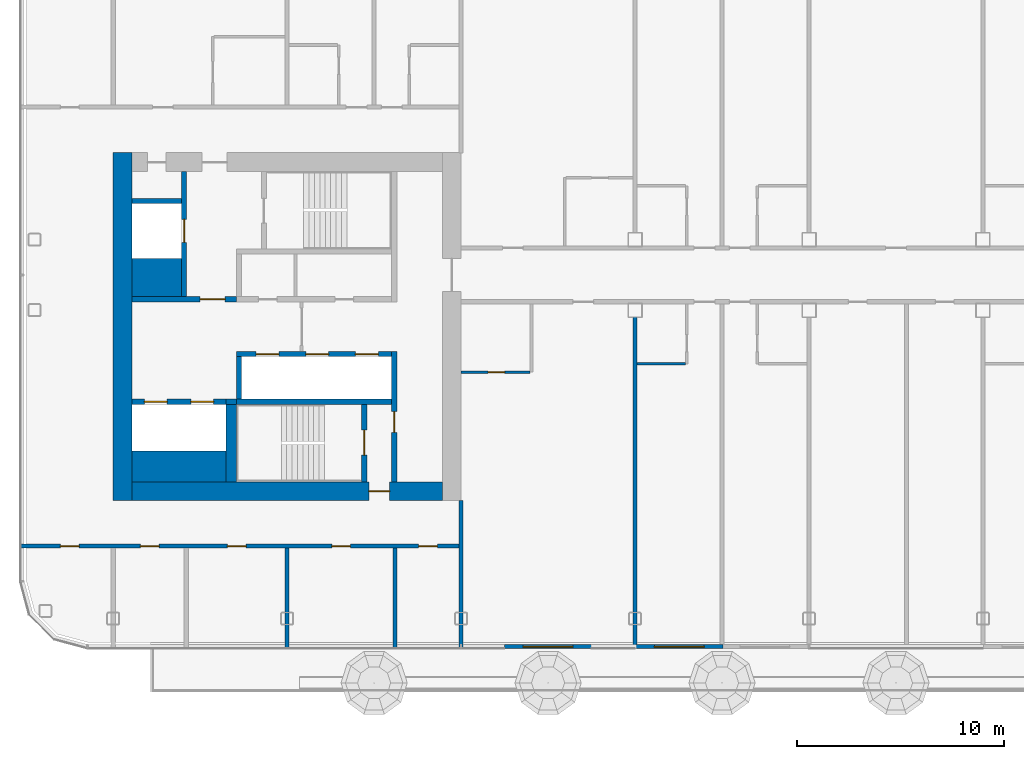
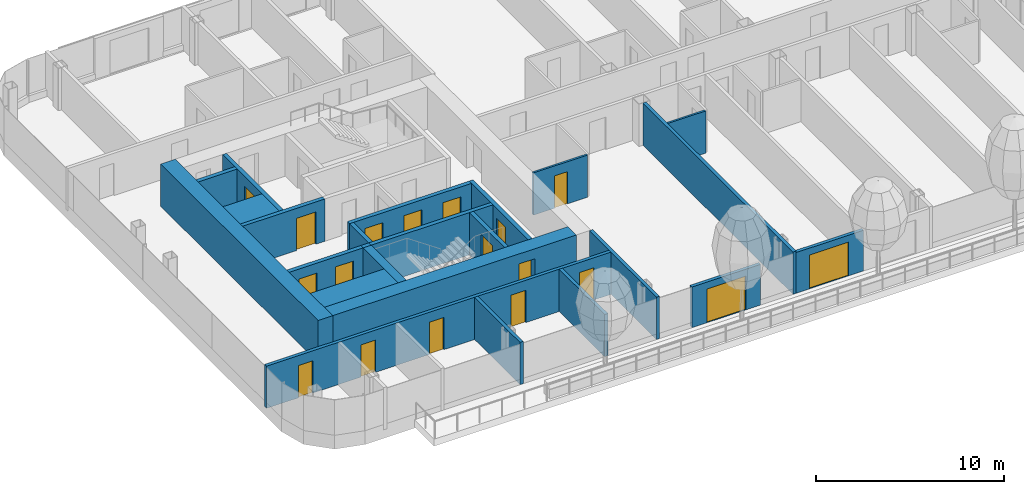
# One storey, part 10 of 28: 24 walls, 18 doors, 18 openings, 1 element without a shape of its own.
"""IFC4 building model written with IfcOpenShell, lengths in metres."""

from ifc_helpers import new_model, si_unit, direction, frame, frame_2d, origin, place, context, subcontext, project, spatial, rectangle, extrude, material, layer, layer_set, type_object, element, fill, aggregate, save


model = new_model("IFC4")

# Units and contexts
model_context = context("Model", 3, precision=1e-05, world=origin(), true_north=direction((0.0, 1.0)))
body_context = subcontext(model_context, "Body", "Model", "MODEL_VIEW")
ifc_project = project(units=[si_unit("LENGTHUNIT", "METRE"), si_unit("AREAUNIT", "SQUARE_METRE"), si_unit("VOLUMEUNIT", "CUBIC_METRE"), si_unit("PLANEANGLEUNIT", "RADIAN"), si_unit("MASSUNIT", "GRAM", prefix="KILO")], contexts=[model_context])

# Site, building, storey
site_placement = place(None, origin())
site = spatial("IfcSite", under=ifc_project, at=site_placement, CompositionType="ELEMENT")
building_placement = place(site_placement, origin())
building = spatial("IfcBuilding", under=site, at=building_placement, Name="Hakoniwa Tower and Hamabe Station Hall", CompositionType="ELEMENT")
storey_placement = place(building_placement, frame((0.0, 0.0, 193.0)))
storey = spatial("IfcBuildingStorey", under=building, at=storey_placement, Name="L54", CompositionType="ELEMENT", Elevation=193.0)

# Wall, opening, door
ifc_material_1 = material(Name="Gypsum board partition", Category="gypsum")
ifc_layer_1 = layer(ifc_material_1, 0.125)
ifc_layer_set_1 = layer_set([ifc_layer_1], Name="Bathroom Partition 125")
wall_type_1 = type_object("IfcWallType", Name="Bathroom Partition 125", PredefinedType="PARTITIONING", material=ifc_layer_set_1)
wall_1_placement = place(storey_placement, frame((-16.81005859375, -2.199951171875, 0.0), z_axis=(0.0, 0.0, 1.0), x_axis=(1.0, 0.0, 0.0)))
wall_1 = element("IfcWall", 1, at=wall_1_placement, inside=storey, type_object=wall_type_1, Name="GW-L54-003", PredefinedType="PARTITIONING", context=body_context, shape_type="SweptSolid", body=[
    extrude(rectangle(XDim=3.34765625, YDim=0.125, at=frame_2d((1.673828125, 0.0))), origin(), (0.0, 0.0, 1.0), 2.75),
])
opening_1_placement = place(wall_1_placement, frame((1.31005859375, 0.0, 0.0)))
opening_1 = element("IfcOpeningElement", 2, at=opening_1_placement, cuts=wall_1, Name="Opening GD-G4C0-10", PredefinedType="OPENING", context=body_context, shape_type="SweptSolid", body=[
    extrude(rectangle(XDim=0.800048828125, YDim=2.10009765625, at=frame_2d((0.39990234375, 1.050048828125))), frame((0.0, 0.072509765625, 0.0), z_axis=(0.0, -1.0, 0.0), x_axis=(1.0, 0.0, 0.0)), (0.0, 0.0, 1.0), 0.14501953125),
])
ifc_material_2 = material(Name="Timber door leaf", Category="wood")
door_type_1 = type_object("IfcDoorType", Name="Bathroom Door 800", OperationType="SINGLE_SWING_LEFT", PredefinedType="DOOR", material=ifc_material_2)
door_1_placement = place(opening_1_placement, origin())
door_1 = element("IfcDoor", 3, at=door_1_placement, inside=storey, type_object=door_type_1, Name="Door GD-G4C0-10", OperationType="SINGLE_SWING_LEFT", OverallHeight=2.10009765625, OverallWidth=0.800048828125, PredefinedType="DOOR", context=body_context, shape_type="SweptSolid", body=[
    extrude(rectangle(XDim=0.800048828125, YDim=2.10009765625, at=frame_2d((0.39990234375, 1.050048828125))), frame((0.0, 0.02490234375, 0.0), z_axis=(0.0, -1.0, 0.0), x_axis=(1.0, 0.0, 0.0)), (0.0, 0.0, 1.0), 0.050048828125),
])
fill(opening_1, door_1)

# Walls
wall_2_placement = place(storey_placement, frame((-8.300048828125, -1.800048828125, 0.0), z_axis=(0.0, 0.0, 1.0), x_axis=(1.0, 0.0, 0.0)))
element("IfcWall", 4, at=wall_2_placement, inside=storey, type_object=wall_type_1, Name="GW-L54-004", PredefinedType="PARTITIONING", context=body_context, shape_type="SweptSolid", body=[
    extrude(rectangle(XDim=2.337646484375, YDim=0.125, at=frame_2d((1.1689453125, 0.0))), origin(), (0.0, 0.0, 1.0), 2.75),
])
ifc_material_3 = material(Name="Concrete C60", Category="concrete")
ifc_layer_2 = layer(ifc_material_3, 0.89990234375)
ifc_layer_set_2 = layer_set([ifc_layer_2], Name="CORE WALL 900 C60")
wall_type_2 = type_object("IfcWallType", Name="CORE WALL 900 C60", PredefinedType="SHEAR", material=ifc_layer_set_2)
wall_3_placement = place(storey_placement, frame((-33.14990234375, -8.39990234375, 0.0), z_axis=(0.0, 0.0, 1.0), x_axis=(0.0, 1.0, 0.0)))
element("IfcWall", 5, at=wall_3_placement, inside=storey, type_object=wall_type_2, Name="Core wall OUTER west", PredefinedType="SHEAR", context=body_context, shape_type="SweptSolid", body=[
    extrude(rectangle(XDim=16.7998046875, YDim=0.89990234375, at=frame_2d((8.39990234375, 0.0))), origin(), (0.0, 0.0, 1.0), 2.75),
])

# Wall, opening, door
wall_4_placement = place(storey_placement, frame((-32.699951171875, -7.949951171875, 0.0), z_axis=(0.0, 0.0, 1.0), x_axis=(1.0, 0.0, 0.0)))
wall_4 = element("IfcWall", 6, at=wall_4_placement, inside=storey, type_object=wall_type_2, Name="Core wall SOUTH west", PredefinedType="SHEAR", context=body_context, shape_type="SweptSolid", body=[
    extrude(rectangle(XDim=15.0, YDim=0.89990234375, at=frame_2d((7.5, 0.0))), origin(), (0.0, 0.0, 1.0), 2.75),
])
opening_2_placement = place(wall_4_placement, frame((11.449951171875, 0.0, 0.0)))
opening_2 = element("IfcOpeningElement", 7, at=opening_2_placement, cuts=wall_4, Name="Opening CD-W-FS3-10", PredefinedType="OPENING", context=body_context, shape_type="SweptSolid", body=[
    extrude(rectangle(XDim=1.0, YDim=2.10009765625, at=frame_2d((0.5, 1.050048828125))), frame((0.0, 0.4599609375, 0.0), z_axis=(0.0, -1.0, 0.0), x_axis=(1.0, 0.0, 0.0)), (0.0, 0.0, 1.0), 0.919921875),
])
ifc_material_4 = material(Name="Steel fire door", Category="steel")
door_type_2 = type_object("IfcDoorType", Name="CORE DOOR 1000 FD60", OperationType="NOTDEFINED", PredefinedType="DOOR", material=ifc_material_4)
door_2_placement = place(opening_2_placement, origin())
door_2 = element("IfcDoor", 8, at=door_2_placement, inside=storey, type_object=door_type_2, Name="Stair vestibule door", OperationType="SINGLE_SWING_LEFT", OverallHeight=2.10009765625, OverallWidth=1.0, PredefinedType="DOOR", context=body_context, shape_type="SweptSolid", body=[
    extrude(rectangle(XDim=1.0, YDim=2.10009765625, at=frame_2d((0.5, 1.050048828125))), frame((0.0, 0.02490234375, 0.0), z_axis=(0.0, -1.0, 0.0), x_axis=(1.0, 0.0, 0.0)), (0.0, 0.0, 1.0), 0.050048828125),
])
fill(opening_2, door_2)

# Walls
ifc_material_5 = material(Name="Concrete C60", Category="concrete")
ifc_layer_3 = layer(ifc_material_5, 1.5)
ifc_layer_set_3 = layer_set([ifc_layer_3], Name="CORE WEB WALL 1500 C60")
wall_type_3 = type_object("IfcWallType", Name="CORE WEB WALL 1500 C60", PredefinedType="SHEAR", material=ifc_layer_set_3)
wall_5_placement = place(storey_placement, frame((-32.699951171875, -6.75, 0.0), z_axis=(0.0, 0.0, 1.0), x_axis=(1.0, 0.0, 0.0)))
element("IfcWall", 9, at=wall_5_placement, inside=storey, type_object=wall_type_3, Name="Core wall SER west", PredefinedType="SHEAR", context=body_context, shape_type="SweptSolid", body=[
    extrude(rectangle(XDim=4.550048828125, YDim=1.5, at=frame_2d((2.27490234375, 0.0))), origin(), (0.0, 0.0, 1.0), 2.75),
])
ifc_material_6 = material(Name="Concrete C60", Category="concrete")
ifc_layer_4 = layer(ifc_material_6, 1.85009765625)
ifc_layer_set_4 = layer_set([ifc_layer_4], Name="CORE WEB WALL 1850 C60")
wall_type_4 = type_object("IfcWallType", Name="CORE WEB WALL 1850 C60", PredefinedType="SHEAR", material=ifc_layer_set_4)
wall_6_placement = place(storey_placement, frame((-32.699951171875, 2.375, 0.0), z_axis=(0.0, 0.0, 1.0), x_axis=(1.0, 0.0, 0.0)))
element("IfcWall", 10, at=wall_6_placement, inside=storey, type_object=wall_type_4, Name="Core wall CA west", PredefinedType="SHEAR", context=body_context, shape_type="SweptSolid", body=[
    extrude(rectangle(XDim=2.39990234375, YDim=1.85009765625, at=frame_2d((1.199951171875, 0.0))), origin(), (0.0, 0.0, 1.0), 2.75),
])

# Wall, opening, door
ifc_material_7 = material(Name="Concrete C60", Category="concrete")
ifc_layer_5 = layer(ifc_material_7, 0.25)
ifc_layer_set_5 = layer_set([ifc_layer_5], Name="CORE WEB WALL 250 C60")
wall_type_5 = type_object("IfcWallType", Name="CORE WEB WALL 250 C60", PredefinedType="SHEAR", material=ifc_layer_set_5)
wall_7_placement = place(storey_placement, frame((-20.02490234375, -7.5, 0.0), z_axis=(0.0, 0.0, 1.0), x_axis=(0.0, 1.0, 0.0)))
wall_7 = element("IfcWall", 11, at=wall_7_placement, inside=storey, type_object=wall_type_5, Name="Core wall W1S west", PredefinedType="SHEAR", context=body_context, shape_type="SweptSolid", body=[
    extrude(rectangle(XDim=6.300048828125, YDim=0.25, at=frame_2d((3.14990234375, 0.0))), origin(), (0.0, 0.0, 1.0), 2.75),
])
opening_3_placement = place(wall_7_placement, frame((2.39990234375, 0.0, 0.0)))
opening_3 = element("IfcOpeningElement", 12, at=opening_3_placement, cuts=wall_7, Name="Opening CD-W-VS-10", PredefinedType="OPENING", context=body_context, shape_type="SweptSolid", body=[
    extrude(rectangle(XDim=1.0, YDim=2.10009765625, at=frame_2d((0.5, 1.050048828125))), frame((0.0, 0.135009765625, 0.0), z_axis=(0.0, -1.0, 0.0), x_axis=(1.0, 0.0, 0.0)), (0.0, 0.0, 1.0), 0.27001953125),
])
door_3_placement = place(opening_3_placement, origin())
door_3 = element("IfcDoor", 13, at=door_3_placement, inside=storey, type_object=door_type_2, Name="Stair vestibule door", OperationType="SINGLE_SWING_LEFT", OverallHeight=2.10009765625, OverallWidth=1.0, PredefinedType="DOOR", context=body_context, shape_type="SweptSolid", body=[
    extrude(rectangle(XDim=1.0, YDim=2.10009765625, at=frame_2d((0.5, 1.050048828125))), frame((0.0, 0.02490234375, 0.0), z_axis=(0.0, -1.0, 0.0), x_axis=(1.0, 0.0, 0.0)), (0.0, 0.0, 1.0), 0.050048828125),
])
fill(opening_3, door_3)

wall_8_placement = place(storey_placement, frame((-32.699951171875, 1.324951171875, 0.0), z_axis=(0.0, 0.0, 1.0), x_axis=(1.0, 0.0, 0.0)))
wall_8 = element("IfcWall", 14, at=wall_8_placement, inside=storey, type_object=wall_type_5, Name="Core wall ELN west", PredefinedType="SHEAR", context=body_context, shape_type="SweptSolid", body=[
    extrude(rectangle(XDim=5.050048828125, YDim=0.25, at=frame_2d((2.52490234375, 0.0))), origin(), (0.0, 0.0, 1.0), 2.75),
])
opening_4_placement = place(wall_8_placement, frame((3.300048828125, 0.0, 0.0)))
opening_4 = element("IfcOpeningElement", 15, at=opening_4_placement, cuts=wall_8, Name="Opening CD-W-FL-12", PredefinedType="OPENING", context=body_context, shape_type="SweptSolid", body=[
    extrude(rectangle(XDim=1.199951171875, YDim=2.10009765625, at=frame_2d((0.60009765625, 1.050048828125))), frame((0.0, 0.135009765625, 0.0), z_axis=(0.0, -1.0, 0.0), x_axis=(1.0, 0.0, 0.0)), (0.0, 0.0, 1.0), 0.27001953125),
])
ifc_material_8 = material(Name="Steel fire door", Category="steel")
door_type_3 = type_object("IfcDoorType", Name="CORE DOOR 1200 FD60", OperationType="DOUBLE_DOOR_SINGLE_SWING", PredefinedType="DOOR", material=ifc_material_8)
door_4_placement = place(opening_4_placement, origin())
door_4 = element("IfcDoor", 16, at=door_4_placement, inside=storey, type_object=door_type_3, Name="Stair vestibule door to the fire-fighting lobby", OperationType="DOUBLE_DOOR_SINGLE_SWING", OverallHeight=2.10009765625, OverallWidth=1.199951171875, PredefinedType="DOOR", context=body_context, shape_type="SweptSolid", body=[
    extrude(rectangle(XDim=1.199951171875, YDim=2.10009765625, at=frame_2d((0.60009765625, 1.050048828125))), frame((0.0, 0.02490234375, 0.0), z_axis=(0.0, -1.0, 0.0), x_axis=(1.0, 0.0, 0.0)), (0.0, 0.0, 1.0), 0.050048828125),
])
fill(opening_4, door_4)

wall_9_placement = place(storey_placement, frame((-30.175048828125, 1.449951171875, 0.0), z_axis=(0.0, 0.0, 1.0), x_axis=(0.0, 1.0, 0.0)))
wall_9 = element("IfcWall", 17, at=wall_9_placement, inside=storey, type_object=wall_type_5, Name="Core wall FFF west", PredefinedType="SHEAR", context=body_context, shape_type="SweptSolid", body=[
    extrude(rectangle(XDim=6.050048828125, YDim=0.25, at=frame_2d((3.02490234375, 0.0))), origin(), (0.0, 0.0, 1.0), 2.75),
])
opening_5_placement = place(wall_9_placement, frame((2.625, 0.0, 0.0)))
opening_5 = element("IfcOpeningElement", 18, at=opening_5_placement, cuts=wall_9, Name="Opening LD-FF1", PredefinedType="OPENING", context=body_context, shape_type="SweptSolid", body=[
    extrude(rectangle(XDim=1.10009765625, YDim=2.10009765625, at=frame_2d((0.550048828125, 1.050048828125))), frame((0.0, 0.135009765625, 0.0), z_axis=(0.0, -1.0, 0.0), x_axis=(1.0, 0.0, 0.0)), (0.0, 0.0, 1.0), 0.27001953125),
])
ifc_material_9 = material(Name="Stainless steel SUS304", Category="steel")
door_type_4 = type_object("IfcDoorType", Name="LIFT LANDING DOOR 1100 FD60", OperationType="DOUBLE_DOOR_SLIDING", PredefinedType="DOOR", material=ifc_material_9)
door_5_placement = place(opening_5_placement, origin())
door_5 = element("IfcDoor", 19, at=door_5_placement, inside=storey, type_object=door_type_4, Name="Lift landing door FF1 L54", OperationType="DOUBLE_DOOR_SLIDING", OverallHeight=2.10009765625, OverallWidth=1.10009765625, PredefinedType="DOOR", context=body_context, shape_type="SweptSolid", body=[
    extrude(rectangle(XDim=1.10009765625, YDim=2.10009765625, at=frame_2d((0.550048828125, 1.050048828125))), frame((0.0, 0.02490234375, 0.0), z_axis=(0.0, -1.0, 0.0), x_axis=(1.0, 0.0, 0.0)), (0.0, 0.0, 1.0), 0.050048828125),
])
fill(opening_5, door_5)

# Wall
wall_10_placement = place(storey_placement, frame((-32.699951171875, 6.074951171875, 0.0), z_axis=(0.0, 0.0, 1.0), x_axis=(1.0, 0.0, 0.0)))
element("IfcWall", 20, at=wall_10_placement, inside=storey, type_object=wall_type_5, Name="Core wall C2 west", PredefinedType="SHEAR", context=body_context, shape_type="SweptSolid", body=[
    extrude(rectangle(XDim=2.39990234375, YDim=0.25, at=frame_2d((1.199951171875, 0.0))), origin(), (0.0, 0.0, 1.0), 2.75),
])

# Wall, openings, doors
wall_11_placement = place(storey_placement, frame((-27.64990234375, -1.324951171875, 0.0), z_axis=(0.0, 0.0, 1.0), x_axis=(1.0, 0.0, 0.0)))
wall_11 = element("IfcWall", 21, at=wall_11_placement, inside=storey, type_object=wall_type_5, Name="Core wall SF west", PredefinedType="SHEAR", context=body_context, shape_type="SweptSolid", body=[
    extrude(rectangle(XDim=7.5, YDim=0.25, at=frame_2d((3.75, 0.0))), origin(), (0.0, 0.0, 1.0), 2.75),
])
opening_6_placement = place(wall_11_placement, frame((5.75, 0.0, 0.0)))
opening_6 = element("IfcOpeningElement", 22, at=opening_6_placement, cuts=wall_11, Name="Opening LD-HR1", PredefinedType="OPENING", context=body_context, shape_type="SweptSolid", body=[
    extrude(rectangle(XDim=1.10009765625, YDim=2.10009765625, at=frame_2d((0.550048828125, 1.050048828125))), frame((0.0, 0.135009765625, 0.0), z_axis=(0.0, -1.0, 0.0), x_axis=(1.0, 0.0, 0.0)), (0.0, 0.0, 1.0), 0.27001953125),
])
opening_7_placement = place(wall_11_placement, frame((3.35009765625, 0.0, 0.0)))
opening_7 = element("IfcOpeningElement", 23, at=opening_7_placement, cuts=wall_11, Name="Opening LD-HR2", PredefinedType="OPENING", context=body_context, shape_type="SweptSolid", body=[
    extrude(rectangle(XDim=1.10009765625, YDim=2.10009765625, at=frame_2d((0.550048828125, 1.050048828125))), frame((0.0, 0.135009765625, 0.0), z_axis=(0.0, -1.0, 0.0), x_axis=(1.0, 0.0, 0.0)), (0.0, 0.0, 1.0), 0.27001953125),
])
opening_8_placement = place(wall_11_placement, frame((0.949951171875, 0.0, 0.0)))
opening_8 = element("IfcOpeningElement", 24, at=opening_8_placement, cuts=wall_11, Name="Opening LD-HR3", PredefinedType="OPENING", context=body_context, shape_type="SweptSolid", body=[
    extrude(rectangle(XDim=1.10009765625, YDim=2.10009765625, at=frame_2d((0.550048828125, 1.050048828125))), frame((0.0, 0.135009765625, 0.0), z_axis=(0.0, -1.0, 0.0), x_axis=(1.0, 0.0, 0.0)), (0.0, 0.0, 1.0), 0.27001953125),
])
door_6_placement = place(opening_6_placement, origin())
door_6 = element("IfcDoor", 25, at=door_6_placement, inside=storey, type_object=door_type_4, Name="Lift landing door HR1 L54", OperationType="DOUBLE_DOOR_SLIDING", OverallHeight=2.10009765625, OverallWidth=1.10009765625, PredefinedType="DOOR", context=body_context, shape_type="SweptSolid", body=[
    extrude(rectangle(XDim=1.10009765625, YDim=2.10009765625, at=frame_2d((0.550048828125, 1.050048828125))), frame((0.0, 0.02490234375, 0.0), z_axis=(0.0, -1.0, 0.0), x_axis=(1.0, 0.0, 0.0)), (0.0, 0.0, 1.0), 0.050048828125),
])
fill(opening_6, door_6)
door_7_placement = place(opening_7_placement, origin())
door_7 = element("IfcDoor", 26, at=door_7_placement, inside=storey, type_object=door_type_4, Name="Lift landing door HR2 L54", OperationType="DOUBLE_DOOR_SLIDING", OverallHeight=2.10009765625, OverallWidth=1.10009765625, PredefinedType="DOOR", context=body_context, shape_type="SweptSolid", body=[
    extrude(rectangle(XDim=1.10009765625, YDim=2.10009765625, at=frame_2d((0.550048828125, 1.050048828125))), frame((0.0, 0.02490234375, 0.0), z_axis=(0.0, -1.0, 0.0), x_axis=(1.0, 0.0, 0.0)), (0.0, 0.0, 1.0), 0.050048828125),
])
fill(opening_7, door_7)
door_8_placement = place(opening_8_placement, origin())
door_8 = element("IfcDoor", 27, at=door_8_placement, inside=storey, type_object=door_type_4, Name="Lift landing door HR3 L54", OperationType="DOUBLE_DOOR_SLIDING", OverallHeight=2.10009765625, OverallWidth=1.10009765625, PredefinedType="DOOR", context=body_context, shape_type="SweptSolid", body=[
    extrude(rectangle(XDim=1.10009765625, YDim=2.10009765625, at=frame_2d((0.550048828125, 1.050048828125))), frame((0.0, 0.02490234375, 0.0), z_axis=(0.0, -1.0, 0.0), x_axis=(1.0, 0.0, 0.0)), (0.0, 0.0, 1.0), 0.050048828125),
])
fill(opening_8, door_8)

# Walls
wall_12_placement = place(storey_placement, frame((-27.52490234375, -3.5, 0.0), z_axis=(0.0, 0.0, 1.0), x_axis=(0.0, 1.0, 0.0)))
element("IfcWall", 28, at=wall_12_placement, inside=storey, type_object=wall_type_5, Name="Core wall SE west", PredefinedType="SHEAR", context=body_context, shape_type="SweptSolid", body=[
    extrude(rectangle(XDim=2.050048828125, YDim=0.25, at=frame_2d((1.02490234375, 0.0))), origin(), (0.0, 0.0, 1.0), 2.75),
])
wall_13_placement = place(storey_placement, frame((-27.64990234375, -3.625, 0.0), z_axis=(0.0, 0.0, 1.0), x_axis=(1.0, 0.0, 0.0)))
element("IfcWall", 29, at=wall_13_placement, inside=storey, type_object=wall_type_5, Name="Core wall SR west", PredefinedType="SHEAR", context=body_context, shape_type="SweptSolid", body=[
    extrude(rectangle(XDim=7.5, YDim=0.25, at=frame_2d((3.75, 0.0))), origin(), (0.0, 0.0, 1.0), 2.75),
])

# Wall, opening, door
wall_14_placement = place(storey_placement, frame((-21.47509765625, -7.5, 0.0), z_axis=(0.0, 0.0, 1.0), x_axis=(0.0, 1.0, 0.0)))
wall_14 = element("IfcWall", 30, at=wall_14_placement, inside=storey, type_object=wall_type_5, Name="Core wall VE west", PredefinedType="SHEAR", context=body_context, shape_type="SweptSolid", body=[
    extrude(rectangle(XDim=3.75, YDim=0.25, at=frame_2d((1.875, 0.0))), origin(), (0.0, 0.0, 1.0), 2.75),
])
opening_9_placement = place(wall_14_placement, frame((1.300048828125, 0.0, 0.0)))
opening_9 = element("IfcOpeningElement", 31, at=opening_9_placement, cuts=wall_14, Name="Opening CD-W-SS-12", PredefinedType="OPENING", context=body_context, shape_type="SweptSolid", body=[
    extrude(rectangle(XDim=1.199951171875, YDim=2.10009765625, at=frame_2d((0.60009765625, 1.050048828125))), frame((0.0, 0.135009765625, 0.0), z_axis=(0.0, -1.0, 0.0), x_axis=(1.0, 0.0, 0.0)), (0.0, 0.0, 1.0), 0.27001953125),
])
door_9_placement = place(opening_9_placement, origin())
door_9 = element("IfcDoor", 32, at=door_9_placement, inside=storey, type_object=door_type_3, Name="Escape stair door", OperationType="DOUBLE_DOOR_SINGLE_SWING", OverallHeight=2.10009765625, OverallWidth=1.199951171875, PredefinedType="DOOR", context=body_context, shape_type="SweptSolid", body=[
    extrude(rectangle(XDim=1.199951171875, YDim=2.10009765625, at=frame_2d((0.60009765625, 1.050048828125))), frame((0.0, 0.02490234375, 0.0), z_axis=(0.0, -1.0, 0.0), x_axis=(1.0, 0.0, 0.0)), (0.0, 0.0, 1.0), 0.050048828125),
])
fill(opening_9, door_9)

# Wall, openings, doors
wall_15_placement = place(storey_placement, frame((-32.699951171875, -3.625, 0.0), z_axis=(0.0, 0.0, 1.0), x_axis=(1.0, 0.0, 0.0)))
wall_15 = element("IfcWall", 33, at=wall_15_placement, inside=storey, type_object=wall_type_5, Name="Core wall SEF west", PredefinedType="SHEAR", context=body_context, shape_type="SweptSolid", body=[
    extrude(rectangle(XDim=4.550048828125, YDim=0.25, at=frame_2d((2.27490234375, 0.0))), origin(), (0.0, 0.0, 1.0), 2.75),
])
opening_10_placement = place(wall_15_placement, frame((2.85009765625, 0.0, 0.0)))
opening_10 = element("IfcOpeningElement", 34, at=opening_10_placement, cuts=wall_15, Name="Opening LD-SV1", PredefinedType="OPENING", context=body_context, shape_type="SweptSolid", body=[
    extrude(rectangle(XDim=1.10009765625, YDim=2.10009765625, at=frame_2d((0.550048828125, 1.050048828125))), frame((0.0, 0.135009765625, 0.0), z_axis=(0.0, -1.0, 0.0), x_axis=(1.0, 0.0, 0.0)), (0.0, 0.0, 1.0), 0.27001953125),
])
opening_11_placement = place(wall_15_placement, frame((0.60009765625, 0.0, 0.0)))
opening_11 = element("IfcOpeningElement", 35, at=opening_11_placement, cuts=wall_15, Name="Opening LD-SV2", PredefinedType="OPENING", context=body_context, shape_type="SweptSolid", body=[
    extrude(rectangle(XDim=1.10009765625, YDim=2.10009765625, at=frame_2d((0.550048828125, 1.050048828125))), frame((0.0, 0.135009765625, 0.0), z_axis=(0.0, -1.0, 0.0), x_axis=(1.0, 0.0, 0.0)), (0.0, 0.0, 1.0), 0.27001953125),
])
door_10_placement = place(opening_10_placement, origin())
door_10 = element("IfcDoor", 36, at=door_10_placement, inside=storey, type_object=door_type_4, Name="Lift landing door SV1 L54", OperationType="DOUBLE_DOOR_SLIDING", OverallHeight=2.10009765625, OverallWidth=1.10009765625, PredefinedType="DOOR", context=body_context, shape_type="SweptSolid", body=[
    extrude(rectangle(XDim=1.10009765625, YDim=2.10009765625, at=frame_2d((0.550048828125, 1.050048828125))), frame((0.0, 0.02490234375, 0.0), z_axis=(0.0, -1.0, 0.0), x_axis=(1.0, 0.0, 0.0)), (0.0, 0.0, 1.0), 0.050048828125),
])
fill(opening_10, door_10)
door_11_placement = place(opening_11_placement, origin())
door_11 = element("IfcDoor", 37, at=door_11_placement, inside=storey, type_object=door_type_4, Name="Lift landing door SV2 L54", OperationType="DOUBLE_DOOR_SLIDING", OverallHeight=2.10009765625, OverallWidth=1.10009765625, PredefinedType="DOOR", context=body_context, shape_type="SweptSolid", body=[
    extrude(rectangle(XDim=1.10009765625, YDim=2.10009765625, at=frame_2d((0.550048828125, 1.050048828125))), frame((0.0, 0.02490234375, 0.0), z_axis=(0.0, -1.0, 0.0), x_axis=(1.0, 0.0, 0.0)), (0.0, 0.0, 1.0), 0.050048828125),
])
fill(opening_11, door_11)

# Walls
wall_16_placement = place(storey_placement, frame((-28.14990234375, -3.625, 0.0), z_axis=(0.0, 0.0, 1.0), x_axis=(1.0, 0.0, 0.0)))
element("IfcWall", 38, at=wall_16_placement, inside=storey, type_object=wall_type_5, Name="Core wall SRK west", PredefinedType="SHEAR", context=body_context, shape_type="SweptSolid", body=[
    extrude(rectangle(XDim=0.5, YDim=0.25, at=frame_2d((0.25, 0.0))), origin(), (0.0, 0.0, 1.0), 2.75),
])
ifc_material_10 = material(Name="Concrete C60", Category="concrete")
ifc_layer_6 = layer(ifc_material_10, 0.5)
ifc_layer_set_6 = layer_set([ifc_layer_6], Name="CORE WEB WALL 500 C60")
wall_type_6 = type_object("IfcWallType", Name="CORE WEB WALL 500 C60", PredefinedType="SHEAR", material=ifc_layer_set_6)
wall_17_placement = place(storey_placement, frame((-27.89990234375, -7.5, 0.0), z_axis=(0.0, 0.0, 1.0), x_axis=(0.0, 1.0, 0.0)))
element("IfcWall", 39, at=wall_17_placement, inside=storey, type_object=wall_type_6, Name="Core wall SSE west", PredefinedType="SHEAR", context=body_context, shape_type="SweptSolid", body=[
    extrude(rectangle(XDim=3.75, YDim=0.5, at=frame_2d((1.875, 0.0))), origin(), (0.0, 0.0, 1.0), 2.75),
])

# Wall, openings, doors
ifc_material_11 = material(Name="Fire-rated gypsum board partition", Category="gypsum")
ifc_layer_7 = layer(ifc_material_11, 0.199951171875)
ifc_layer_set_7 = layer_set([ifc_layer_7], Name="Corridor Wall 200")
wall_type_7 = type_object("IfcWallType", Name="Corridor Wall 200", PredefinedType="PARTITIONING", material=ifc_layer_set_7)
wall_18_placement = place(storey_placement, frame((-38.10009765625, -10.60009765625, 0.0), z_axis=(0.0, 0.0, 1.0), x_axis=(1.0, 0.0, 0.0)))
wall_18 = element("IfcWall", 40, at=wall_18_placement, inside=storey, type_object=wall_type_7, Name="GW-L54-001", PredefinedType="PARTITIONING", context=body_context, shape_type="SweptSolid", body=[
    extrude(rectangle(XDim=21.300048828125, YDim=0.199951171875, at=frame_2d((10.64990234375, 0.0))), origin(), (0.0, 0.0, 1.0), 2.75),
])
opening_12_placement = place(wall_18_placement, frame((1.949951171875, 0.0, 0.0)))
opening_12 = element("IfcOpeningElement", 41, at=opening_12_placement, cuts=wall_18, Name="Opening GD-G4C0-01", PredefinedType="OPENING", context=body_context, shape_type="SweptSolid", body=[
    extrude(rectangle(XDim=0.89990234375, YDim=2.10009765625, at=frame_2d((0.449951171875, 1.050048828125))), frame((0.0, 0.10986328125, 0.0), z_axis=(0.0, -1.0, 0.0), x_axis=(1.0, 0.0, 0.0)), (0.0, 0.0, 1.0), 0.219970703125),
])
opening_13_placement = place(wall_18_placement, frame((5.81494140625, 0.0, 0.0)))
opening_13 = element("IfcOpeningElement", 42, at=opening_13_placement, cuts=wall_18, Name="Opening GD-G4C0-02", PredefinedType="OPENING", context=body_context, shape_type="SweptSolid", body=[
    extrude(rectangle(XDim=0.89990234375, YDim=2.10009765625, at=frame_2d((0.449951171875, 1.050048828125))), frame((0.0, 0.10986328125, 0.0), z_axis=(0.0, -1.0, 0.0), x_axis=(1.0, 0.0, 0.0)), (0.0, 0.0, 1.0), 0.219970703125),
])
opening_14_placement = place(wall_18_placement, frame((10.014892578125, 0.0, 0.0)))
opening_14 = element("IfcOpeningElement", 43, at=opening_14_placement, cuts=wall_18, Name="Opening GD-G4C0-03", PredefinedType="OPENING", context=body_context, shape_type="SweptSolid", body=[
    extrude(rectangle(XDim=0.89990234375, YDim=2.10009765625, at=frame_2d((0.449951171875, 1.050048828125))), frame((0.0, 0.10986328125, 0.0), z_axis=(0.0, -1.0, 0.0), x_axis=(1.0, 0.0, 0.0)), (0.0, 0.0, 1.0), 0.219970703125),
])
opening_15_placement = place(wall_18_placement, frame((15.054931640625, 0.0, 0.0)))
opening_15 = element("IfcOpeningElement", 44, at=opening_15_placement, cuts=wall_18, Name="Opening GD-G4C0-04", PredefinedType="OPENING", context=body_context, shape_type="SweptSolid", body=[
    extrude(rectangle(XDim=0.89990234375, YDim=2.10009765625, at=frame_2d((0.449951171875, 1.050048828125))), frame((0.0, 0.10986328125, 0.0), z_axis=(0.0, -1.0, 0.0), x_axis=(1.0, 0.0, 0.0)), (0.0, 0.0, 1.0), 0.219970703125),
])
opening_16_placement = place(wall_18_placement, frame((19.2548828125, 0.0, 0.0)))
opening_16 = element("IfcOpeningElement", 45, at=opening_16_placement, cuts=wall_18, Name="Opening GD-G4C0-05", PredefinedType="OPENING", context=body_context, shape_type="SweptSolid", body=[
    extrude(rectangle(XDim=0.89990234375, YDim=2.10009765625, at=frame_2d((0.449951171875, 1.050048828125))), frame((0.0, 0.10986328125, 0.0), z_axis=(0.0, -1.0, 0.0), x_axis=(1.0, 0.0, 0.0)), (0.0, 0.0, 1.0), 0.219970703125),
])
ifc_material_12 = material(Name="Timber door leaf", Category="wood")
door_type_5 = type_object("IfcDoorType", Name="Service Door 900", OperationType="SINGLE_SWING_LEFT", PredefinedType="DOOR", material=ifc_material_12)
door_12_placement = place(opening_12_placement, origin())
door_12 = element("IfcDoor", 46, at=door_12_placement, inside=storey, type_object=door_type_5, Name="Door GD-G4C0-01", OperationType="SINGLE_SWING_RIGHT", OverallHeight=2.10009765625, OverallWidth=0.89990234375, PredefinedType="DOOR", context=body_context, shape_type="SweptSolid", body=[
    extrude(rectangle(XDim=0.89990234375, YDim=2.10009765625, at=frame_2d((0.449951171875, 1.050048828125))), frame((0.0, 0.02490234375, 0.0), z_axis=(0.0, -1.0, 0.0), x_axis=(1.0, 0.0, 0.0)), (0.0, 0.0, 1.0), 0.050048828125),
])
fill(opening_12, door_12)
door_13_placement = place(opening_13_placement, origin())
door_13 = element("IfcDoor", 47, at=door_13_placement, inside=storey, type_object=door_type_5, Name="Door GD-G4C0-02", OperationType="SINGLE_SWING_RIGHT", OverallHeight=2.10009765625, OverallWidth=0.89990234375, PredefinedType="DOOR", context=body_context, shape_type="SweptSolid", body=[
    extrude(rectangle(XDim=0.89990234375, YDim=2.10009765625, at=frame_2d((0.449951171875, 1.050048828125))), frame((0.0, 0.02490234375, 0.0), z_axis=(0.0, -1.0, 0.0), x_axis=(1.0, 0.0, 0.0)), (0.0, 0.0, 1.0), 0.050048828125),
])
fill(opening_13, door_13)
door_14_placement = place(opening_14_placement, origin())
door_14 = element("IfcDoor", 48, at=door_14_placement, inside=storey, type_object=door_type_5, Name="Door GD-G4C0-03", OperationType="SINGLE_SWING_LEFT", OverallHeight=2.10009765625, OverallWidth=0.89990234375, PredefinedType="DOOR", context=body_context, shape_type="SweptSolid", body=[
    extrude(rectangle(XDim=0.89990234375, YDim=2.10009765625, at=frame_2d((0.449951171875, 1.050048828125))), frame((0.0, 0.02490234375, 0.0), z_axis=(0.0, -1.0, 0.0), x_axis=(1.0, 0.0, 0.0)), (0.0, 0.0, 1.0), 0.050048828125),
])
fill(opening_14, door_14)
door_15_placement = place(opening_15_placement, origin())
door_15 = element("IfcDoor", 49, at=door_15_placement, inside=storey, type_object=door_type_5, Name="Door GD-G4C0-04", OperationType="SINGLE_SWING_RIGHT", OverallHeight=2.10009765625, OverallWidth=0.89990234375, PredefinedType="DOOR", context=body_context, shape_type="SweptSolid", body=[
    extrude(rectangle(XDim=0.89990234375, YDim=2.10009765625, at=frame_2d((0.449951171875, 1.050048828125))), frame((0.0, 0.02490234375, 0.0), z_axis=(0.0, -1.0, 0.0), x_axis=(1.0, 0.0, 0.0)), (0.0, 0.0, 1.0), 0.050048828125),
])
fill(opening_15, door_15)
door_16_placement = place(opening_16_placement, origin())
door_16 = element("IfcDoor", 50, at=door_16_placement, inside=storey, type_object=door_type_5, Name="Door GD-G4C0-05", OperationType="SINGLE_SWING_LEFT", OverallHeight=2.10009765625, OverallWidth=0.89990234375, PredefinedType="DOOR", context=body_context, shape_type="SweptSolid", body=[
    extrude(rectangle(XDim=0.89990234375, YDim=2.10009765625, at=frame_2d((0.449951171875, 1.050048828125))), frame((0.0, 0.02490234375, 0.0), z_axis=(0.0, -1.0, 0.0), x_axis=(1.0, 0.0, 0.0)), (0.0, 0.0, 1.0), 0.050048828125),
])
fill(opening_16, door_16)

# Curtain wall, walls, openings, doors
ifc_material_13 = material(Name="Dark low-e laminated glass", Category="glass")
ifc_layer_8 = layer(ifc_material_13, 0.199951171875)
ifc_layer_set_8 = layer_set([ifc_layer_8], Name="CW-1 UNITISED GUEST")
curtain_wall_type = type_object("IfcCurtainWallType", Name="CW-1 UNITISED GUEST", PredefinedType="NOTDEFINED", material=ifc_layer_set_8)
curtain_wall_placement = place(storey_placement, origin())
curtain_wall = element("IfcCurtainWall", 51, at=curtain_wall_placement, inside=storey, type_object=curtain_wall_type, Name="CW-1 curtain wall", PredefinedType="NOTDEFINED")
ifc_material_14 = material(Name="Dark glass-faced aluminium panel", Category="aluminium")
ifc_layer_9 = layer(ifc_material_14, 0.199951171875)
ifc_layer_set_9 = layer_set([ifc_layer_9], Name="DOOR BAY WALL")
wall_type_8 = type_object("IfcWallType", Name="DOOR BAY WALL", PredefinedType="NOTDEFINED", material=ifc_layer_set_9)
wall_19_placement = place(storey_placement, frame((-14.7099609375, -15.449951171875, 0.0), z_axis=(0.0, 0.0, 1.0), x_axis=(1.0, 0.0, 0.0)))
wall_19 = element("IfcWall", 52, at=wall_19_placement, type_object=wall_type_8, Name="Door bay wall", PredefinedType="NOTDEFINED", context=body_context, shape_type="SweptSolid", body=[
    extrude(rectangle(XDim=4.219970703125, YDim=0.199951171875, at=frame_2d((2.10986328125, 0.0))), origin(), (0.0, 0.0, 1.0), 2.64990234375),
])
opening_17_placement = place(wall_19_placement, frame((0.909912109375, 0.0, 0.0)))
opening_17 = element("IfcOpeningElement", 53, at=opening_17_placement, cuts=wall_19, Name="Opening BD-S07-6", PredefinedType="OPENING", context=body_context, shape_type="SweptSolid", body=[
    extrude(rectangle(XDim=2.39990234375, YDim=2.199951171875, at=frame_2d((1.199951171875, 1.10009765625))), frame((0.0, 0.10986328125, 0.0), z_axis=(0.0, -1.0, 0.0), x_axis=(1.0, 0.0, 0.0)), (0.0, 0.0, 1.0), 0.219970703125),
])
ifc_material_15 = material(Name="Dark low-e laminated glass", Category="glass")
door_type_6 = type_object("IfcDoorType", Name="BALCONY SLIDING DOOR 2400X2200", OperationType="SLIDING_TO_LEFT", PredefinedType="DOOR", material=ifc_material_15)
door_17_placement = place(opening_17_placement, frame((2.39990234375, 0.0, 0.0), z_axis=(0.0, 0.0, 1.0), x_axis=(-1.0, 0.0, 0.0)))
door_17 = element("IfcDoor", 54, at=door_17_placement, inside=storey, type_object=door_type_6, Name="Balcony sliding door", OperationType="SLIDING_TO_LEFT", OverallHeight=2.199951171875, OverallWidth=2.39990234375, PredefinedType="DOOR", context=body_context, shape_type="SweptSolid", body=[
    extrude(rectangle(XDim=2.39990234375, YDim=2.199951171875, at=frame_2d((1.199951171875, 1.10009765625))), frame((0.0, 0.02490234375, 0.0), z_axis=(0.0, -1.0, 0.0), x_axis=(1.0, 0.0, 0.0)), (0.0, 0.0, 1.0), 0.050048828125),
])
fill(opening_17, door_17)
wall_20_placement = place(storey_placement, frame((-8.3798828125, -15.449951171875, 0.0), z_axis=(0.0, 0.0, 1.0), x_axis=(1.0, 0.0, 0.0)))
wall_20 = element("IfcWall", 55, at=wall_20_placement, type_object=wall_type_8, Name="Door bay wall", PredefinedType="NOTDEFINED", context=body_context, shape_type="SweptSolid", body=[
    extrude(rectangle(XDim=4.219970703125, YDim=0.199951171875, at=frame_2d((2.10986328125, 0.0))), origin(), (0.0, 0.0, 1.0), 2.64990234375),
])
opening_18_placement = place(wall_20_placement, frame((0.909912109375, 0.0, 0.0)))
opening_18 = element("IfcOpeningElement", 56, at=opening_18_placement, cuts=wall_20, Name="Opening BD-S07-7", PredefinedType="OPENING", context=body_context, shape_type="SweptSolid", body=[
    extrude(rectangle(XDim=2.39990234375, YDim=2.199951171875, at=frame_2d((1.199951171875, 1.10009765625))), frame((0.0, 0.10986328125, 0.0), z_axis=(0.0, -1.0, 0.0), x_axis=(1.0, 0.0, 0.0)), (0.0, 0.0, 1.0), 0.219970703125),
])
door_18_placement = place(opening_18_placement, frame((2.39990234375, 0.0, 0.0), z_axis=(0.0, 0.0, 1.0), x_axis=(-1.0, 0.0, 0.0)))
door_18 = element("IfcDoor", 57, at=door_18_placement, inside=storey, type_object=door_type_6, Name="Balcony sliding door", OperationType="SLIDING_TO_LEFT", OverallHeight=2.199951171875, OverallWidth=2.39990234375, PredefinedType="DOOR", context=body_context, shape_type="SweptSolid", body=[
    extrude(rectangle(XDim=2.39990234375, YDim=2.199951171875, at=frame_2d((1.199951171875, 1.10009765625))), frame((0.0, 0.02490234375, 0.0), z_axis=(0.0, -1.0, 0.0), x_axis=(1.0, 0.0, 0.0)), (0.0, 0.0, 1.0), 0.050048828125),
])
fill(opening_18, door_18)
aggregate(curtain_wall, [wall_19, wall_20])

# Walls
ifc_material_16 = material(Name="Fire-rated gypsum board partition", Category="gypsum")
ifc_layer_10 = layer(ifc_material_16, 0.199951171875)
ifc_layer_set_10 = layer_set([ifc_layer_10], Name="Party Wall 200")
wall_type_9 = type_object("IfcWallType", Name="Party Wall 200", PredefinedType="PARTITIONING", material=ifc_layer_set_10)
for number, where, z_axis, x_axis, name in (
    (58, (-25.199951171875, -15.550048828125, 0.0), (0.0, 0.0, 1.0), (0.0, 1.0, 0.0), "GW-L54-027"),
    (59, (-19.989990234375, -15.550048828125, 0.0), (0.0, 0.0, 1.0), (0.0, 1.0, 0.0), "GW-L54-031"),
):
    element("IfcWall", number, at=place(storey_placement, frame(where, z_axis=z_axis, x_axis=x_axis)), inside=storey, type_object=wall_type_9, Name=name, PredefinedType="PARTITIONING", context=body_context, shape_type="SweptSolid", body=[
        extrude(rectangle(XDim=4.85009765625, YDim=0.199951171875, at=frame_2d((2.425048828125, 0.0))), origin(), (0.0, 0.0, 1.0), 2.75),
    ])
wall_21_placement = place(storey_placement, frame((-16.800048828125, -15.550048828125, 0.0), z_axis=(0.0, 0.0, 1.0), x_axis=(0.0, 1.0, 0.0)))
element("IfcWall", 60, at=wall_21_placement, inside=storey, type_object=wall_type_9, Name="GW-L54-033", PredefinedType="PARTITIONING", context=body_context, shape_type="SweptSolid", body=[
    extrude(rectangle(XDim=7.16015625, YDim=0.199951171875, at=frame_2d((3.580078125, 0.0))), origin(), (0.0, 0.0, 1.0), 2.75),
])
wall_22_placement = place(storey_placement, frame((-8.39990234375, -15.550048828125, 0.0), z_axis=(0.0, 0.0, 1.0), x_axis=(0.0, 1.0, 0.0)))
element("IfcWall", 61, at=wall_22_placement, inside=storey, type_object=wall_type_9, Name="GW-L54-037", PredefinedType="PARTITIONING", context=body_context, shape_type="SweptSolid", body=[
    extrude(rectangle(XDim=16.010009765625, YDim=0.199951171875, at=frame_2d((8.0048828125, 0.0))), origin(), (0.0, 0.0, 1.0), 2.75),
])

save(model, "model.ifc")
